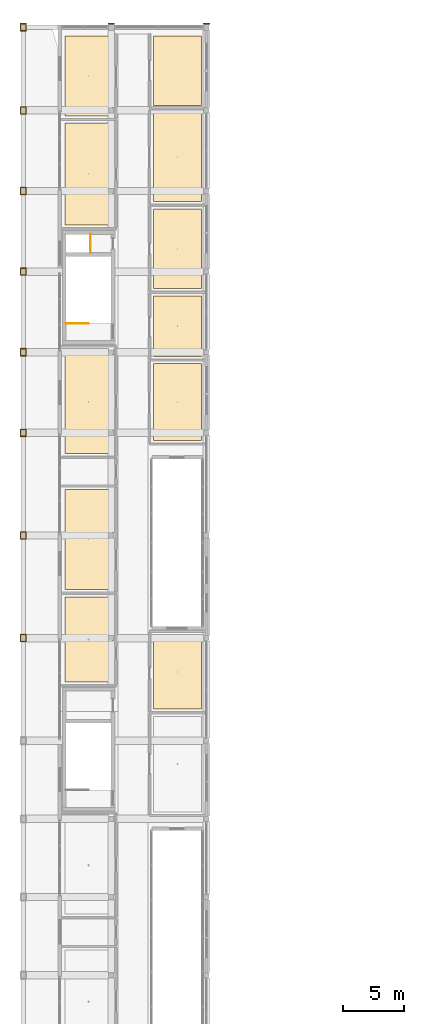
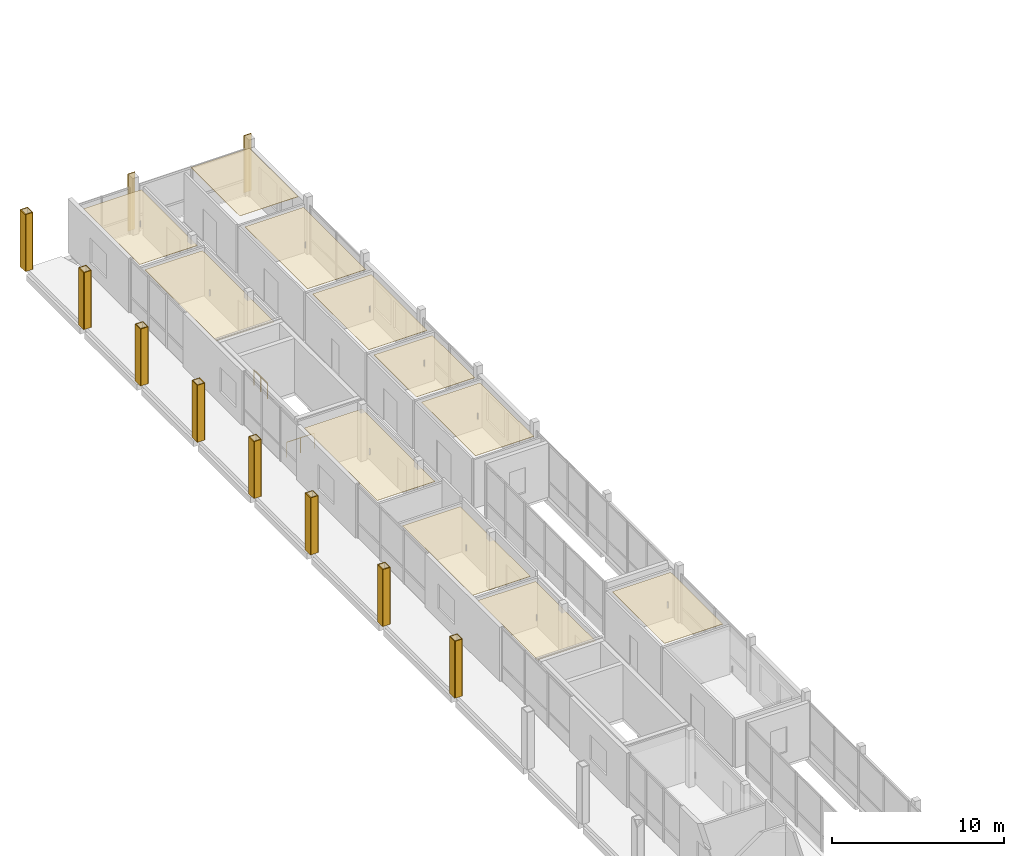
# One storey, part 23 of 24: 45 coverings, 2 railings.
"""IFC4 building model written with IfcOpenShell, lengths in metres."""

from ifc_helpers import new_model, si_unit, derived_unit, direction, frame, origin, origin_2d, place, context, subcontext, project, spatial, polyline, rectangle, circle, outline, extrude, material, layer, layer_set, type_object, element, save


model = new_model("IFC4")

# Units and contexts
model_context = context("Model", 3, precision=1e-05, world=origin(), true_north=direction((0.0, 1.0)))
body_context = subcontext(model_context, "Body", "Model", "MODEL_VIEW")
ifc_project = project(units=[si_unit("LENGTHUNIT", "METRE"), si_unit("AREAUNIT", "SQUARE_METRE"), si_unit("VOLUMEUNIT", "CUBIC_METRE"), si_unit("PLANEANGLEUNIT", "RADIAN"), si_unit("MASSUNIT", "GRAM", prefix="KILO"), derived_unit("THERMALTRANSMITTANCEUNIT", [(si_unit("POWERUNIT", "WATT"), 1), (si_unit("LENGTHUNIT", "METRE"), -2), (si_unit("THERMODYNAMICTEMPERATUREUNIT", "KELVIN"), -1)])], contexts=[model_context])

# Site, building, storey
site_placement = place(None, origin())
site = spatial("IfcSite", under=ifc_project, at=site_placement, CompositionType="ELEMENT")
building_placement = place(site_placement, origin())
building = spatial("IfcBuilding", under=site, at=building_placement, Name="Braskholm Square Health Centre", CompositionType="ELEMENT")
storey_placement = place(building_placement, frame((0.0, 0.0, 21.60009765625)))
storey = spatial("IfcBuildingStorey", under=building, at=storey_placement, Name="L06", CompositionType="ELEMENT", Elevation=21.60009765625)

# Coverings
ifc_material_1 = material(Name="Fire-rated gypsum board barrier")
ifc_layer_1 = layer(ifc_material_1, 0.02490234375)
ifc_layer_set_1 = layer_set([ifc_layer_1], Name="Fire-rated gypsum board barrier")
covering_type_1 = type_object("IfcCoveringType", Name="AcousticClinicalCeilingTile", PredefinedType="CEILING", material=ifc_layer_set_1)
covering_1_placement = place(storey_placement, frame((0.0, 0.0, 3.40478515625)))
element("IfcCovering", 1, at=covering_1_placement, inside=storey, type_object=covering_type_1, Name="Acoustic ceiling L06-147", PredefinedType="CEILING", context=body_context, shape_type="SweptSolid", body=[
    extrude(outline(polyline([(7.6201171875, 60.199951171875), (11.5, 60.199951171875), (11.5, 67.179931640625), (7.6201171875, 67.179931640625), (7.6201171875, 60.199951171875)])), origin(), (0.0, 0.0, 1.0), 0.025146484375),
])
covering_2_placement = place(storey_placement, frame((0.0, 0.0, 3.40478515625)))
element("IfcCovering", 2, at=covering_2_placement, inside=storey, type_object=covering_type_1, Name="Acoustic ceiling L06-148", PredefinedType="CEILING", context=body_context, shape_type="SweptSolid", body=[
    extrude(outline(polyline([(7.6201171875, 67.780029296875), (11.5, 67.780029296875), (11.5, 75.949951171875), (7.6201171875, 75.949951171875), (7.6201171875, 67.780029296875)])), origin(), (0.0, 0.0, 1.0), 0.025146484375),
])
covering_3_placement = place(storey_placement, frame((0.0, 0.0, 3.40478515625)))
element("IfcCovering", 3, at=covering_3_placement, inside=storey, type_object=covering_type_1, Name="Acoustic ceiling L06-150", PredefinedType="CEILING", context=body_context, shape_type="SweptSolid", body=[
    extrude(outline(polyline([(7.6201171875, 78.89990234375), (11.5, 78.89990234375), (11.5, 87.39990234375), (7.6201171875, 87.39990234375), (7.6201171875, 78.89990234375)])), origin(), (0.0, 0.0, 1.0), 0.025146484375),
])
covering_4_placement = place(storey_placement, frame((0.0, 0.0, 3.40478515625)))
element("IfcCovering", 4, at=covering_4_placement, inside=storey, type_object=covering_type_1, Name="Acoustic ceiling L06-151", PredefinedType="CEILING", context=body_context, shape_type="SweptSolid", body=[
    extrude(outline(polyline([(7.6201171875, 97.60009765625), (11.5, 97.60009765625), (11.5, 105.9599609375), (7.6201171875, 105.9599609375), (7.6201171875, 97.60009765625)])), origin(), (0.0, 0.0, 1.0), 0.025146484375),
])
covering_5_placement = place(storey_placement, frame((0.0, 0.0, 3.40478515625)))
element("IfcCovering", 5, at=covering_5_placement, inside=storey, type_object=covering_type_1, Name="Acoustic ceiling L06-152", PredefinedType="CEILING", context=body_context, shape_type="SweptSolid", body=[
    extrude(outline(polyline([(7.6201171875, 106.56005859375), (11.5, 106.56005859375), (11.5, 113.10009765625), (7.6201171875, 113.10009765625), (7.6201171875, 106.56005859375)])), origin(), (0.0, 0.0, 1.0), 0.025146484375),
])
covering_6_placement = place(storey_placement, frame((0.0, 0.0, 3.40478515625)))
element("IfcCovering", 6, at=covering_6_placement, inside=storey, type_object=covering_type_1, Name="Acoustic ceiling L06-158", PredefinedType="CEILING", context=body_context, shape_type="SweptSolid", body=[
    extrude(outline(polyline([(14.85009765625, 57.97998046875), (18.780029296875, 57.97998046875), (18.780029296875, 64.050048828125), (14.85009765625, 64.050048828125), (14.85009765625, 57.97998046875)])), origin(), (0.0, 0.0, 1.0), 0.025146484375),
])
covering_7_placement = place(storey_placement, frame((0.0, 0.0, 3.40478515625)))
element("IfcCovering", 7, at=covering_7_placement, inside=storey, type_object=covering_type_1, Name="Acoustic ceiling L06-159", PredefinedType="CEILING", context=body_context, shape_type="SweptSolid", body=[
    extrude(outline(polyline([(14.85009765625, 79.97998046875), (18.780029296875, 79.97998046875), (18.780029296875, 86.260009765625), (14.85009765625, 86.260009765625), (14.85009765625, 79.97998046875)])), origin(), (0.0, 0.0, 1.0), 0.025146484375),
])
covering_8_placement = place(storey_placement, frame((0.0, 0.0, 3.40478515625)))
element("IfcCovering", 8, at=covering_8_placement, inside=storey, type_object=covering_type_1, Name="Acoustic ceiling L06-160", PredefinedType="CEILING", context=body_context, shape_type="SweptSolid", body=[
    extrude(outline(polyline([(14.85009765625, 86.860107421875), (18.780029296875, 86.860107421875), (18.780029296875, 91.800048828125), (14.85009765625, 91.800048828125), (14.85009765625, 86.860107421875)])), origin(), (0.0, 0.0, 1.0), 0.025146484375),
])
covering_9_placement = place(storey_placement, frame((0.0, 0.0, 3.40478515625)))
element("IfcCovering", 9, at=covering_9_placement, inside=storey, type_object=covering_type_1, Name="Acoustic ceiling L06-161", PredefinedType="CEILING", context=body_context, shape_type="SweptSolid", body=[
    extrude(outline(polyline([(14.85009765625, 92.39990234375), (18.780029296875, 92.39990234375), (18.780029296875, 98.93994140625), (14.85009765625, 98.93994140625), (14.85009765625, 92.39990234375)])), origin(), (0.0, 0.0, 1.0), 0.025146484375),
])
covering_10_placement = place(storey_placement, frame((0.0, 0.0, 3.40478515625)))
element("IfcCovering", 10, at=covering_10_placement, inside=storey, type_object=covering_type_1, Name="Acoustic ceiling L06-162", PredefinedType="CEILING", context=body_context, shape_type="SweptSolid", body=[
    extrude(outline(polyline([(14.85009765625, 99.5400390625), (18.780029296875, 99.5400390625), (18.780029296875, 106.820068359375), (14.85009765625, 106.820068359375), (14.85009765625, 99.5400390625)])), origin(), (0.0, 0.0, 1.0), 0.025146484375),
])
covering_11_placement = place(storey_placement, frame((0.0, 0.0, 3.804931640625)))
element("IfcCovering", 11, at=covering_11_placement, inside=storey, type_object=covering_type_1, Name="Acoustic ceiling L06-163", PredefinedType="CEILING", context=body_context, shape_type="SweptSolid", body=[
    extrude(outline(polyline([(14.85009765625, 107.419921875), (18.780029296875, 107.419921875), (18.780029296875, 113.10009765625), (14.85009765625, 113.10009765625), (14.85009765625, 107.419921875)])), origin(), (0.0, 0.0, 1.0), 0.02490234375),
])

# Railings
ifc_material_2 = material(Name="Dark patinated chevron architectural bronze", Category="aluminium")
railing_type = type_object("IfcRailingType", Name="BronzeChevronGuardrail1100", PredefinedType="GUARDRAIL", material=ifc_material_2)
railing_1_placement = place(storey_placement, frame((9.719970703125, 95.320068359375, 0.0)))
element("IfcRailing", 12, at=railing_1_placement, inside=storey, type_object=railing_type, Name="Core K3 riser shaft maintenance guard L06", PredefinedType="GUARDRAIL", context=body_context, shape_type="SweptSolid", body=[
    extrude(circle(Radius=0.02392578125, at=origin_2d()), frame((0.0, 0.0, 1.076171875), z_axis=(0.0, 1.0, 0.0), x_axis=(-1.0, 0.0, 0.0)), (0.0, 0.0, 1.0), 1.559814453125),
    extrude(circle(Radius=0.02099609375, at=origin_2d()), origin(), (0.0, 0.0, 1.0), 1.052001953125),
    extrude(circle(Radius=0.02099609375, at=origin_2d()), frame((0.0, 0.77978515625, 0.0)), (0.0, 0.0, 1.0), 1.052001953125),
    extrude(circle(Radius=0.02099609375, at=origin_2d()), frame((0.0, 1.559814453125, 0.0)), (0.0, 0.0, 1.0), 1.052001953125),
])
railing_2_placement = place(storey_placement, frame((7.699951171875, 89.56005859375, 0.0)))
element("IfcRailing", 13, at=railing_2_placement, inside=storey, type_object=railing_type, Name="Stair ST-03 top well guardrail L06", PredefinedType="GUARDRAIL", context=body_context, shape_type="SweptSolid", body=[
    extrude(circle(Radius=0.02392578125, at=origin_2d()), frame((0.0, 0.0, 1.076171875), z_axis=(1.0, 0.0, 0.0), x_axis=(0.0, 1.0, 0.0)), (0.0, 0.0, 1.0), 1.85009765625),
    extrude(circle(Radius=0.02099609375, at=origin_2d()), origin(), (0.0, 0.0, 1.0), 1.052001953125),
    extrude(circle(Radius=0.02099609375, at=origin_2d()), frame((0.925048828125, 0.0, 0.0)), (0.0, 0.0, 1.0), 1.052001953125),
    extrude(circle(Radius=0.02099609375, at=origin_2d()), frame((1.85009765625, 0.0, 0.0)), (0.0, 0.0, 1.0), 1.052001953125),
])

# Coverings
ifc_material_3 = material(Name="Precast concrete C40/50 architectural white", Category="concrete")
ifc_layer_2 = layer(ifc_material_3, 0.054931640625)
ifc_layer_set_2 = layer_set([ifc_layer_2], Name="Precast concrete C40/50 architectural white")
covering_type_2 = type_object("IfcCoveringType", Name="PrecastWhiteColumnCasing", PredefinedType="CLADDING", material=ifc_layer_set_2)
for number, where, z_axis, x_axis, name in (
    (14, (3.965087890625, 63.800048828125, 0.0), (0.0, 0.0, 1.0), (1.0, 0.0, 0.0), "Giant-order white precast column casing 0087"),
    (15, (4.43505859375, 63.800048828125, 0.0), (0.0, 0.0, 1.0), (1.0, 0.0, 0.0), "Giant-order white precast column casing 0088"),
):
    element("IfcCovering", number, at=place(storey_placement, frame(where, z_axis=z_axis, x_axis=x_axis)), inside=storey, type_object=covering_type_2, Name=name, PredefinedType="CLADDING", context=body_context, shape_type="SweptSolid", body=[
        extrude(rectangle(XDim=0.06005859375, YDim=0.6201171875, at=origin_2d()), origin(), (0.0, 0.0, 1.0), 4.050048828125),
    ])
for number, where, z_axis, x_axis, name in (
    (16, (4.199951171875, 63.514892578125, 0.0), (0.0, 0.0, 1.0), (1.0, 0.0, 0.0), "Giant-order white precast column casing 0089"),
    (17, (4.199951171875, 64.0849609375, 0.0), (0.0, 0.0, 1.0), (1.0, 0.0, 0.0), "Giant-order white precast column casing 0090"),
):
    element("IfcCovering", number, at=place(storey_placement, frame(where, z_axis=z_axis, x_axis=x_axis)), inside=storey, type_object=covering_type_2, Name=name, PredefinedType="CLADDING", context=body_context, shape_type="SweptSolid", body=[
        extrude(rectangle(XDim=0.4599609375, YDim=0.06005859375, at=origin_2d()), origin(), (0.0, 0.0, 1.0), 4.050048828125),
    ])
for number, where, z_axis, x_axis, name in (
    (18, (3.965087890625, 72.199951171875, 0.0), (0.0, 0.0, 1.0), (1.0, 0.0, 0.0), "Giant-order white precast column casing 0096"),
    (19, (4.43505859375, 72.199951171875, 0.0), (0.0, 0.0, 1.0), (1.0, 0.0, 0.0), "Giant-order white precast column casing 0097"),
):
    element("IfcCovering", number, at=place(storey_placement, frame(where, z_axis=z_axis, x_axis=x_axis)), inside=storey, type_object=covering_type_2, Name=name, PredefinedType="CLADDING", context=body_context, shape_type="SweptSolid", body=[
        extrude(rectangle(XDim=0.06005859375, YDim=0.6201171875, at=origin_2d()), origin(), (0.0, 0.0, 1.0), 4.050048828125),
    ])
for number, where, z_axis, x_axis, name in (
    (20, (4.199951171875, 71.9150390625, 0.0), (0.0, 0.0, 1.0), (1.0, 0.0, 0.0), "Giant-order white precast column casing 0098"),
    (21, (4.199951171875, 72.485107421875, 0.0), (0.0, 0.0, 1.0), (1.0, 0.0, 0.0), "Giant-order white precast column casing 0099"),
):
    element("IfcCovering", number, at=place(storey_placement, frame(where, z_axis=z_axis, x_axis=x_axis)), inside=storey, type_object=covering_type_2, Name=name, PredefinedType="CLADDING", context=body_context, shape_type="SweptSolid", body=[
        extrude(rectangle(XDim=0.4599609375, YDim=0.06005859375, at=origin_2d()), origin(), (0.0, 0.0, 1.0), 4.050048828125),
    ])
for number, where, z_axis, x_axis, name in (
    (22, (3.965087890625, 80.60009765625, 0.0), (0.0, 0.0, 1.0), (1.0, 0.0, 0.0), "Giant-order white precast column casing 0105"),
    (23, (4.43505859375, 80.60009765625, 0.0), (0.0, 0.0, 1.0), (1.0, 0.0, 0.0), "Giant-order white precast column casing 0106"),
):
    element("IfcCovering", number, at=place(storey_placement, frame(where, z_axis=z_axis, x_axis=x_axis)), inside=storey, type_object=covering_type_2, Name=name, PredefinedType="CLADDING", context=body_context, shape_type="SweptSolid", body=[
        extrude(rectangle(XDim=0.06005859375, YDim=0.6201171875, at=origin_2d()), origin(), (0.0, 0.0, 1.0), 4.050048828125),
    ])
for number, where, z_axis, x_axis, name in (
    (24, (4.199951171875, 80.31494140625, 0.0), (0.0, 0.0, 1.0), (1.0, 0.0, 0.0), "Giant-order white precast column casing 0107"),
    (25, (4.199951171875, 80.885009765625, 0.0), (0.0, 0.0, 1.0), (1.0, 0.0, 0.0), "Giant-order white precast column casing 0108"),
):
    element("IfcCovering", number, at=place(storey_placement, frame(where, z_axis=z_axis, x_axis=x_axis)), inside=storey, type_object=covering_type_2, Name=name, PredefinedType="CLADDING", context=body_context, shape_type="SweptSolid", body=[
        extrude(rectangle(XDim=0.4599609375, YDim=0.06005859375, at=origin_2d()), origin(), (0.0, 0.0, 1.0), 4.050048828125),
    ])
for number, where, z_axis, x_axis, name in (
    (26, (3.965087890625, 87.199951171875, 0.0), (0.0, 0.0, 1.0), (1.0, 0.0, 0.0), "Giant-order white precast column casing 0114"),
    (27, (4.43505859375, 87.199951171875, 0.0), (0.0, 0.0, 1.0), (1.0, 0.0, 0.0), "Giant-order white precast column casing 0115"),
):
    element("IfcCovering", number, at=place(storey_placement, frame(where, z_axis=z_axis, x_axis=x_axis)), inside=storey, type_object=covering_type_2, Name=name, PredefinedType="CLADDING", context=body_context, shape_type="SweptSolid", body=[
        extrude(rectangle(XDim=0.06005859375, YDim=0.6201171875, at=origin_2d()), origin(), (0.0, 0.0, 1.0), 4.050048828125),
    ])
for number, where, z_axis, x_axis, name in (
    (28, (4.199951171875, 86.9150390625, 0.0), (0.0, 0.0, 1.0), (1.0, 0.0, 0.0), "Giant-order white precast column casing 0116"),
    (29, (4.199951171875, 87.485107421875, 0.0), (0.0, 0.0, 1.0), (1.0, 0.0, 0.0), "Giant-order white precast column casing 0117"),
):
    element("IfcCovering", number, at=place(storey_placement, frame(where, z_axis=z_axis, x_axis=x_axis)), inside=storey, type_object=covering_type_2, Name=name, PredefinedType="CLADDING", context=body_context, shape_type="SweptSolid", body=[
        extrude(rectangle(XDim=0.4599609375, YDim=0.06005859375, at=origin_2d()), origin(), (0.0, 0.0, 1.0), 4.050048828125),
    ])
for number, where, z_axis, x_axis, name in (
    (30, (3.965087890625, 93.800048828125, 0.0), (0.0, 0.0, 1.0), (1.0, 0.0, 0.0), "Giant-order white precast column casing 0123"),
    (31, (4.43505859375, 93.800048828125, 0.0), (0.0, 0.0, 1.0), (1.0, 0.0, 0.0), "Giant-order white precast column casing 0124"),
):
    element("IfcCovering", number, at=place(storey_placement, frame(where, z_axis=z_axis, x_axis=x_axis)), inside=storey, type_object=covering_type_2, Name=name, PredefinedType="CLADDING", context=body_context, shape_type="SweptSolid", body=[
        extrude(rectangle(XDim=0.06005859375, YDim=0.6201171875, at=origin_2d()), origin(), (0.0, 0.0, 1.0), 4.050048828125),
    ])
for number, where, z_axis, x_axis, name in (
    (32, (4.199951171875, 93.514892578125, 0.0), (0.0, 0.0, 1.0), (1.0, 0.0, 0.0), "Giant-order white precast column casing 0125"),
    (33, (4.199951171875, 94.0849609375, 0.0), (0.0, 0.0, 1.0), (1.0, 0.0, 0.0), "Giant-order white precast column casing 0126"),
):
    element("IfcCovering", number, at=place(storey_placement, frame(where, z_axis=z_axis, x_axis=x_axis)), inside=storey, type_object=covering_type_2, Name=name, PredefinedType="CLADDING", context=body_context, shape_type="SweptSolid", body=[
        extrude(rectangle(XDim=0.4599609375, YDim=0.06005859375, at=origin_2d()), origin(), (0.0, 0.0, 1.0), 4.050048828125),
    ])
for number, where, z_axis, x_axis, name in (
    (34, (3.965087890625, 100.39990234375, 0.0), (0.0, 0.0, 1.0), (1.0, 0.0, 0.0), "Giant-order white precast column casing 0132"),
    (35, (4.43505859375, 100.39990234375, 0.0), (0.0, 0.0, 1.0), (1.0, 0.0, 0.0), "Giant-order white precast column casing 0133"),
):
    element("IfcCovering", number, at=place(storey_placement, frame(where, z_axis=z_axis, x_axis=x_axis)), inside=storey, type_object=covering_type_2, Name=name, PredefinedType="CLADDING", context=body_context, shape_type="SweptSolid", body=[
        extrude(rectangle(XDim=0.06005859375, YDim=0.6201171875, at=origin_2d()), origin(), (0.0, 0.0, 1.0), 4.050048828125),
    ])
for number, where, z_axis, x_axis, name in (
    (36, (4.199951171875, 100.114990234375, 0.0), (0.0, 0.0, 1.0), (1.0, 0.0, 0.0), "Giant-order white precast column casing 0134"),
    (37, (4.199951171875, 100.68505859375, 0.0), (0.0, 0.0, 1.0), (1.0, 0.0, 0.0), "Giant-order white precast column casing 0135"),
):
    element("IfcCovering", number, at=place(storey_placement, frame(where, z_axis=z_axis, x_axis=x_axis)), inside=storey, type_object=covering_type_2, Name=name, PredefinedType="CLADDING", context=body_context, shape_type="SweptSolid", body=[
        extrude(rectangle(XDim=0.4599609375, YDim=0.06005859375, at=origin_2d()), origin(), (0.0, 0.0, 1.0), 4.050048828125),
    ])
for number, where, z_axis, x_axis, name in (
    (38, (3.965087890625, 107.0, 0.0), (0.0, 0.0, 1.0), (1.0, 0.0, 0.0), "Giant-order white precast column casing 0141"),
    (39, (4.43505859375, 107.0, 0.0), (0.0, 0.0, 1.0), (1.0, 0.0, 0.0), "Giant-order white precast column casing 0142"),
):
    element("IfcCovering", number, at=place(storey_placement, frame(where, z_axis=z_axis, x_axis=x_axis)), inside=storey, type_object=covering_type_2, Name=name, PredefinedType="CLADDING", context=body_context, shape_type="SweptSolid", body=[
        extrude(rectangle(XDim=0.06005859375, YDim=0.6201171875, at=origin_2d()), origin(), (0.0, 0.0, 1.0), 4.050048828125),
    ])
for number, where, z_axis, x_axis, name in (
    (40, (4.199951171875, 106.715087890625, 0.0), (0.0, 0.0, 1.0), (1.0, 0.0, 0.0), "Giant-order white precast column casing 0143"),
    (41, (4.199951171875, 107.284912109375, 0.0), (0.0, 0.0, 1.0), (1.0, 0.0, 0.0), "Giant-order white precast column casing 0144"),
):
    element("IfcCovering", number, at=place(storey_placement, frame(where, z_axis=z_axis, x_axis=x_axis)), inside=storey, type_object=covering_type_2, Name=name, PredefinedType="CLADDING", context=body_context, shape_type="SweptSolid", body=[
        extrude(rectangle(XDim=0.4599609375, YDim=0.06005859375, at=origin_2d()), origin(), (0.0, 0.0, 1.0), 4.050048828125),
    ])
for number, where, z_axis, x_axis, name in (
    (42, (3.965087890625, 113.800048828125, 0.0), (0.0, 0.0, 1.0), (1.0, 0.0, 0.0), "Giant-order white precast column casing 0150"),
    (43, (4.43505859375, 113.800048828125, 0.0), (0.0, 0.0, 1.0), (1.0, 0.0, 0.0), "Giant-order white precast column casing 0151"),
):
    element("IfcCovering", number, at=place(storey_placement, frame(where, z_axis=z_axis, x_axis=x_axis)), inside=storey, type_object=covering_type_2, Name=name, PredefinedType="CLADDING", context=body_context, shape_type="SweptSolid", body=[
        extrude(rectangle(XDim=0.06005859375, YDim=0.6201171875, at=origin_2d()), origin(), (0.0, 0.0, 1.0), 4.050048828125),
    ])
for number, where, z_axis, x_axis, name in (
    (44, (4.199951171875, 113.514892578125, 0.0), (0.0, 0.0, 1.0), (1.0, 0.0, 0.0), "Giant-order white precast column casing 0152"),
    (45, (4.199951171875, 114.0849609375, 0.0), (0.0, 0.0, 1.0), (1.0, 0.0, 0.0), "Giant-order white precast column casing 0153"),
):
    element("IfcCovering", number, at=place(storey_placement, frame(where, z_axis=z_axis, x_axis=x_axis)), inside=storey, type_object=covering_type_2, Name=name, PredefinedType="CLADDING", context=body_context, shape_type="SweptSolid", body=[
        extrude(rectangle(XDim=0.4599609375, YDim=0.06005859375, at=origin_2d()), origin(), (0.0, 0.0, 1.0), 4.050048828125),
    ])
for number, where, z_axis, x_axis, name in (
    (46, (11.39990234375, 114.0849609375, 0.0), (0.0, 0.0, 1.0), (1.0, 0.0, 0.0), "Giant-order white precast column casing 0165"),
    (47, (19.199951171875, 114.0849609375, 0.0), (0.0, 0.0, 1.0), (1.0, 0.0, 0.0), "Giant-order white precast column casing 0177"),
):
    element("IfcCovering", number, at=place(storey_placement, frame(where, z_axis=z_axis, x_axis=x_axis)), inside=storey, type_object=covering_type_2, Name=name, PredefinedType="CLADDING", context=body_context, shape_type="SweptSolid", body=[
        extrude(rectangle(XDim=0.5, YDim=0.06005859375, at=origin_2d()), origin(), (0.0, 0.0, 1.0), 4.050048828125),
    ])

save(model, "model.ifc")
